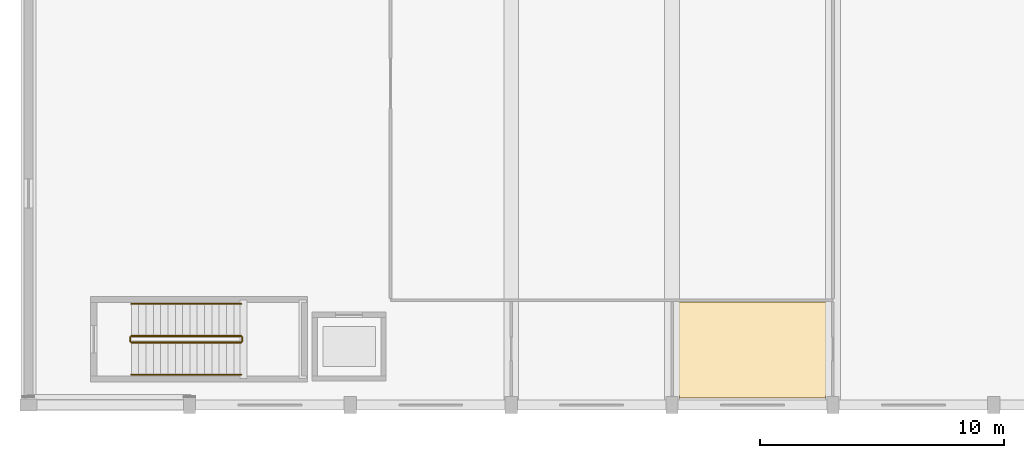
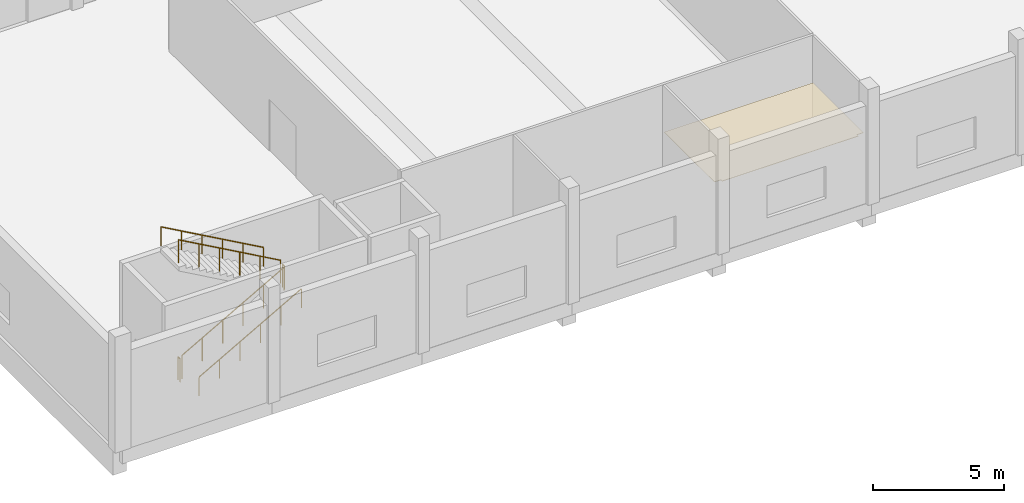
# One storey, part 57 of 72: 6 railings, 1 covering.
"""IFC4 building model written with IfcOpenShell, lengths in metres."""

from ifc_helpers import new_model, si_unit, direction, frame, origin, origin_2d, place, context, subcontext, project, spatial, polyline, circle, outline, extrude, material, layer, layer_set, type_object, element, save


model = new_model("IFC4")

# Units and contexts
model_context = context("Model", 3, precision=1e-05, world=origin(), true_north=direction((0.0, 1.0)))
body_context = subcontext(model_context, "Body", "Model", "MODEL_VIEW")
ifc_project = project(units=[si_unit("LENGTHUNIT", "METRE"), si_unit("AREAUNIT", "SQUARE_METRE"), si_unit("VOLUMEUNIT", "CUBIC_METRE"), si_unit("PLANEANGLEUNIT", "RADIAN"), si_unit("MASSUNIT", "GRAM", prefix="KILO")], contexts=[model_context])

# Site, building, storey
site_placement = place(None, origin())
site = spatial("IfcSite", under=ifc_project, at=site_placement, CompositionType="ELEMENT")
building_placement = place(site_placement, origin())
building = spatial("IfcBuilding", under=site, at=building_placement, Name="Dornvale Research Institute", CompositionType="ELEMENT")
storey_placement = place(building_placement, origin())
storey = spatial("IfcBuildingStorey", under=building, at=storey_placement, Name="L00", CompositionType="ELEMENT", Elevation=0.0)

# Covering
ifc_material_1 = material(Name="Mineral-Fibre Acoustic Lay-In Ceiling Tile System")
ifc_layer_1 = layer(ifc_material_1, 0.02001953125)
ifc_layer_set_1 = layer_set([ifc_layer_1], Name="Mineral-Fibre Acoustic Lay-In Ceiling Tile System")
covering_type = type_object("IfcCoveringType", Name="Covering_Acoustic_Ceiling", PredefinedType="CEILING", material=ifc_layer_set_1)
covering_placement = place(storey_placement, frame((0.0, 0.0, 2.85009765625)))
element("IfcCovering", 1, at=covering_placement, inside=storey, type_object=covering_type, Name="L00 Speaker Green Room and Preparation Suite suspended ceiling", PredefinedType="CEILING", context=body_context, shape_type="SweptSolid", body=[
    extrude(outline(polyline([(32.97998046875, 4.22998046875), (32.97998046875, 0.39990234375), (32.699951171875, 0.39990234375), (32.699951171875, 0.300048828125), (26.699951171875, 0.300048828125), (26.699951171875, 0.39990234375), (26.419921875, 0.39990234375), (26.419921875, 4.22998046875), (32.97998046875, 4.22998046875)])), origin(), (0.0, 0.0, 1.0), 0.02001953125),
])

# Railings
ifc_material_2 = material(Name="Galvanized Painted Tubular Steel Stair Rail", Category="steel")
ifc_layer_2 = layer(ifc_material_2, 0.050048828125)
ifc_layer_set_2 = layer_set([ifc_layer_2], Name="Galvanized Painted Tubular Steel Stair Rail")
railing_type_1 = type_object("IfcRailingType", Name="Railing_Stair_Guard_1100", PredefinedType="GUARDRAIL", material=ifc_layer_set_2)
railing_1_placement = place(storey_placement, frame((4.219970703125, 2.570068359375, 0.168701171875)))
element("IfcRailing", 2, at=railing_1_placement, inside=storey, type_object=railing_type_1, Name="L00 ST-9 stair guard 1", PredefinedType="GUARDRAIL", context=body_context, shape_type="SweptSolid", body=[
    extrude(circle(Radius=0.02392578125, at=origin_2d()), frame((0.0, 0.0, 1.076171875), z_axis=(0.871575537125, 0.0, 0.490261239633), x_axis=(0.0, 1.0, 0.0)), (0.0, 0.0, 1.0), 5.1630859375),
    extrude(circle(Radius=0.02099609375, at=origin_2d()), origin(), (0.0, 0.0, 1.0), 1.052001953125),
    extrude(circle(Radius=0.02099609375, at=origin_2d()), frame((0.89990234375, 0.0, 0.50634765625)), (0.0, 0.0, 1.0), 1.052001953125),
    extrude(circle(Radius=0.02099609375, at=origin_2d()), frame((1.800048828125, 0.0, 1.012451171875)), (0.0, 0.0, 1.0), 1.052001953125),
    extrude(circle(Radius=0.02099609375, at=origin_2d()), frame((2.699951171875, 0.0, 1.518798828125)), (0.0, 0.0, 1.0), 1.052001953125),
    extrude(circle(Radius=0.02099609375, at=origin_2d()), frame((3.60009765625, 0.0, 2.02490234375)), (0.0, 0.0, 1.0), 1.052001953125),
    extrude(circle(Radius=0.02099609375, at=origin_2d()), frame((4.5, 0.0, 2.53125)), (0.0, 0.0, 1.0), 1.052001953125),
])
railing_2_placement = place(storey_placement, frame((8.77001953125, 2.6201171875, 2.699951171875)))
element("IfcRailing", 3, at=railing_2_placement, inside=storey, type_object=railing_type_1, Name="L00 ST-9 stair guard 2", PredefinedType="GUARDRAIL", context=body_context, shape_type="SweptSolid", body=[
    extrude(circle(Radius=0.02392578125, at=origin_2d()), frame((0.0, 0.0, 1.076171875), z_axis=(0.0, 1.0, 0.0), x_axis=(-1.0, 0.0, 0.0)), (0.0, 0.0, 1.0), 0.159912109375),
    extrude(circle(Radius=0.02099609375, at=origin_2d()), origin(), (0.0, 0.0, 1.0), 1.052001953125),
    extrude(circle(Radius=0.02099609375, at=origin_2d()), frame((0.0, 0.159912109375, 0.0)), (0.0, 0.0, 1.0), 1.052001953125),
])
railing_3_placement = place(storey_placement, frame((8.719970703125, 2.830078125, 2.86865234375)))
element("IfcRailing", 4, at=railing_3_placement, inside=storey, type_object=railing_type_1, Name="L00 ST-9 stair guard 3", PredefinedType="GUARDRAIL", context=body_context, shape_type="SweptSolid", body=[
    extrude(circle(Radius=0.02392578125, at=origin_2d()), frame((0.0, 0.0, 1.076171875), z_axis=(-0.871575537125, 0.0, 0.490261239633), x_axis=(0.0, -1.0, 0.0)), (0.0, 0.0, 1.0), 5.1630859375),
    extrude(circle(Radius=0.02099609375, at=origin_2d()), origin(), (0.0, 0.0, 1.0), 1.052001953125),
    extrude(circle(Radius=0.02099609375, at=origin_2d()), frame((-0.89990234375, 0.0, 0.50634765625)), (0.0, 0.0, 1.0), 1.052001953125),
    extrude(circle(Radius=0.02099609375, at=origin_2d()), frame((-1.800048828125, 0.0, 1.012451171875)), (0.0, 0.0, 1.0), 1.052001953125),
    extrude(circle(Radius=0.02099609375, at=origin_2d()), frame((-2.699951171875, 0.0, 1.518798828125)), (0.0, 0.0, 1.0), 1.052001953125),
    extrude(circle(Radius=0.02099609375, at=origin_2d()), frame((-3.60009765625, 0.0, 2.02490234375)), (0.0, 0.0, 1.0), 1.052001953125),
    extrude(circle(Radius=0.02099609375, at=origin_2d()), frame((-4.5, 0.0, 2.53125)), (0.0, 0.0, 1.0), 1.052001953125),
])
railing_4_placement = place(storey_placement, frame((4.169921875, 2.6201171875, 0.0)))
element("IfcRailing", 5, at=railing_4_placement, inside=storey, type_object=railing_type_1, Name="L00 ST-9 stair guard 4", PredefinedType="GUARDRAIL", context=body_context, shape_type="SweptSolid", body=[
    extrude(circle(Radius=0.02392578125, at=origin_2d()), frame((0.0, 0.0, 1.076171875), z_axis=(0.0, 1.0, 0.0), x_axis=(-1.0, 0.0, 0.0)), (0.0, 0.0, 1.0), 0.159912109375),
    extrude(circle(Radius=0.02099609375, at=origin_2d()), origin(), (0.0, 0.0, 1.0), 1.052001953125),
    extrude(circle(Radius=0.02099609375, at=origin_2d()), frame((0.0, 0.159912109375, 0.0)), (0.0, 0.0, 1.0), 1.052001953125),
])
ifc_material_3 = material(Name="Galvanized Painted Tubular Steel Stair Rail", Category="steel")
ifc_layer_3 = layer(ifc_material_3, 0.044921875)
ifc_layer_set_3 = layer_set([ifc_layer_3], Name="Galvanized Painted Tubular Steel Stair Rail")
railing_type_2 = type_object("IfcRailingType", Name="Railing_Stair_Handrail_900", PredefinedType="HANDRAIL", material=ifc_layer_set_3)
railing_5_placement = place(storey_placement, frame((4.219970703125, 1.25, 0.168701171875)))
element("IfcRailing", 6, at=railing_5_placement, inside=storey, type_object=railing_type_2, Name="L00 ST-9 stair handrail 1", PredefinedType="HANDRAIL", context=body_context, shape_type="SweptSolid", body=[
    extrude(circle(Radius=0.02392578125, at=origin_2d()), frame((0.0, 0.0, 0.8759765625), z_axis=(0.871575537125, 0.0, 0.490261239633), x_axis=(0.0, 1.0, 0.0)), (0.0, 0.0, 1.0), 5.1630859375),
    extrude(circle(Radius=0.02099609375, at=origin_2d()), origin(), (0.0, 0.0, 1.0), 0.851806640625),
    extrude(circle(Radius=0.02099609375, at=origin_2d()), frame((0.89990234375, 0.0, 0.50634765625)), (0.0, 0.0, 1.0), 0.851806640625),
    extrude(circle(Radius=0.02099609375, at=origin_2d()), frame((1.800048828125, 0.0, 1.012451171875)), (0.0, 0.0, 1.0), 0.851806640625),
    extrude(circle(Radius=0.02099609375, at=origin_2d()), frame((2.699951171875, 0.0, 1.518798828125)), (0.0, 0.0, 1.0), 0.851806640625),
    extrude(circle(Radius=0.02099609375, at=origin_2d()), frame((3.60009765625, 0.0, 2.02490234375)), (0.0, 0.0, 1.0), 0.851806640625),
    extrude(circle(Radius=0.02099609375, at=origin_2d()), frame((4.5, 0.0, 2.53125)), (0.0, 0.0, 1.0), 0.851806640625),
])
railing_6_placement = place(storey_placement, frame((8.719970703125, 4.14990234375, 2.86865234375)))
element("IfcRailing", 7, at=railing_6_placement, inside=storey, type_object=railing_type_2, Name="L00 ST-9 stair handrail 2", PredefinedType="HANDRAIL", context=body_context, shape_type="SweptSolid", body=[
    extrude(circle(Radius=0.02392578125, at=origin_2d()), frame((0.0, 0.0, 0.8759765625), z_axis=(-0.871575537125, 0.0, 0.490261239633), x_axis=(0.0, -1.0, 0.0)), (0.0, 0.0, 1.0), 5.1630859375),
    extrude(circle(Radius=0.02099609375, at=origin_2d()), origin(), (0.0, 0.0, 1.0), 0.851806640625),
    extrude(circle(Radius=0.02099609375, at=origin_2d()), frame((-0.89990234375, 0.0, 0.50634765625)), (0.0, 0.0, 1.0), 0.851806640625),
    extrude(circle(Radius=0.02099609375, at=origin_2d()), frame((-1.800048828125, 0.0, 1.012451171875)), (0.0, 0.0, 1.0), 0.851806640625),
    extrude(circle(Radius=0.02099609375, at=origin_2d()), frame((-2.699951171875, 0.0, 1.518798828125)), (0.0, 0.0, 1.0), 0.851806640625),
    extrude(circle(Radius=0.02099609375, at=origin_2d()), frame((-3.60009765625, 0.0, 2.02490234375)), (0.0, 0.0, 1.0), 0.851806640625),
    extrude(circle(Radius=0.02099609375, at=origin_2d()), frame((-4.5, 0.0, 2.53125)), (0.0, 0.0, 1.0), 0.851806640625),
])

save(model, "model.ifc")
